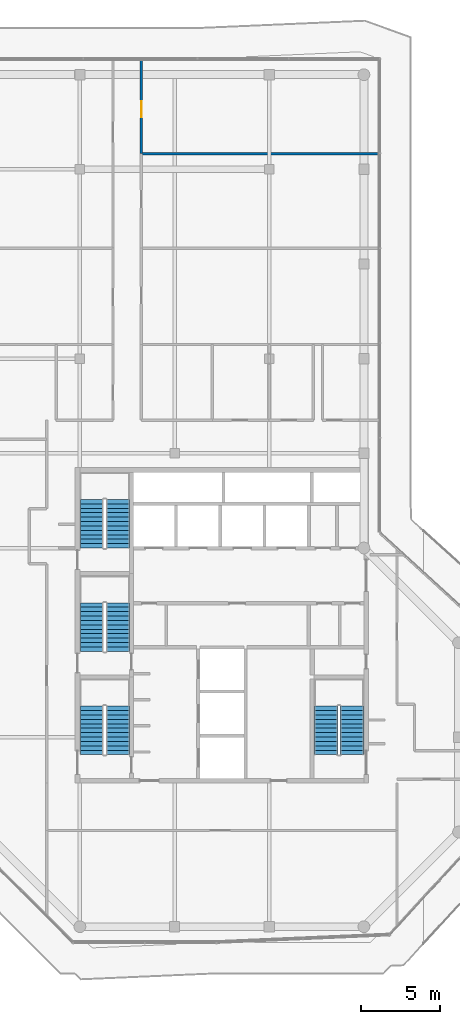
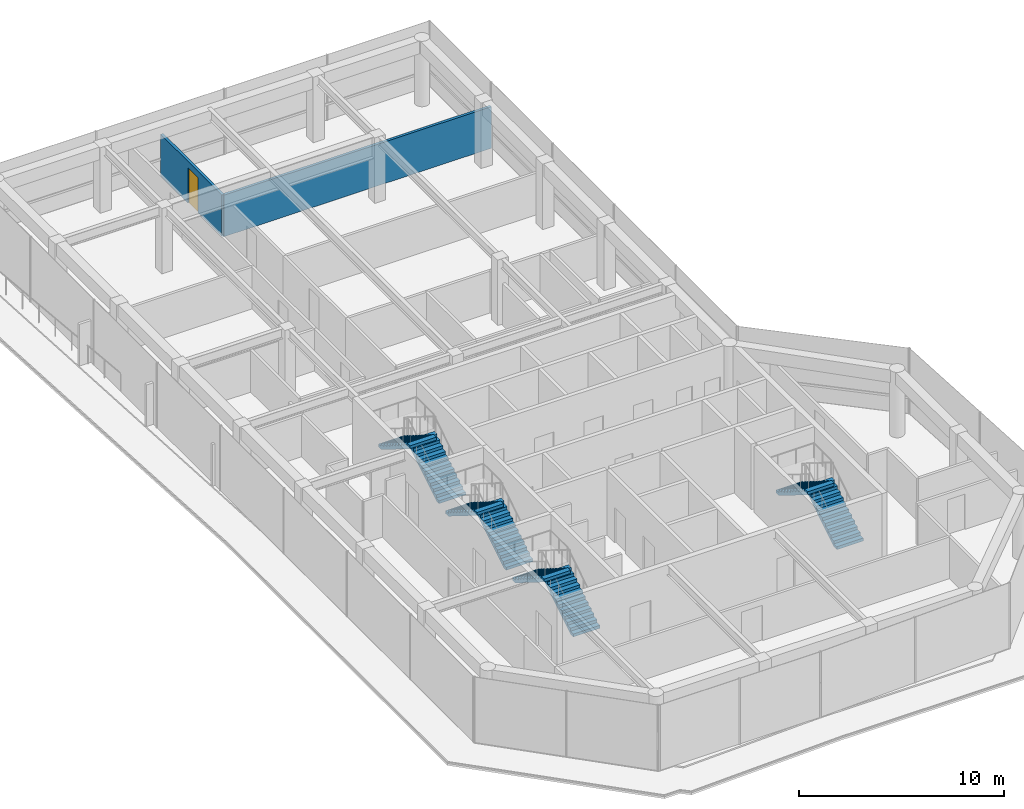
# One storey, part 17 of 19: 8 stair flights, 2 walls, 1 door, 1 opening, 4 elements without a shape of their own.
"""IFC4 building model written with IfcOpenShell, lengths in metres."""

from ifc_helpers import new_model, si_unit, direction, frame, frame_2d, origin, place, context, subcontext, project, spatial, polyline, rectangle, outline, extrude, material, layer, layer_set, type_object, element, fill, aggregate, save


model = new_model("IFC4")

# Units and contexts
model_context = context("Model", 3, precision=1e-05, world=origin(), true_north=direction((0.0, 1.0)))
body_context = subcontext(model_context, "Body", "Model", "MODEL_VIEW")
ifc_project = project(units=[si_unit("LENGTHUNIT", "METRE"), si_unit("AREAUNIT", "SQUARE_METRE"), si_unit("VOLUMEUNIT", "CUBIC_METRE"), si_unit("PLANEANGLEUNIT", "RADIAN"), si_unit("MASSUNIT", "GRAM", prefix="KILO")], contexts=[model_context])

# Site, building, storey
site_placement = place(None, origin())
site = spatial("IfcSite", under=ifc_project, at=site_placement, CompositionType="ELEMENT")
building_placement = place(site_placement, origin())
building = spatial("IfcBuilding", under=site, at=building_placement, Name="Welwitschia Terrace Campus", CompositionType="ELEMENT")
storey_placement = place(building_placement, frame((0.0, 0.0, 323.0)))
storey = spatial("IfcBuildingStorey", under=building, at=storey_placement, Name="L72", CompositionType="ELEMENT", Elevation=323.0)

# Wall
ifc_material_1 = material(Name="Gypsum board on steel studs", Category="steel")
ifc_layer = layer(ifc_material_1, 0.14990234375)
ifc_layer_set = layer_set([ifc_layer], Name="Gypsum board on steel studs")
wall_type = type_object("IfcWallType", Name="Corridor partition 150 EI 30", PredefinedType="PARTITIONING", material=ifc_layer_set)
wall_1_placement = place(storey_placement, frame((9.89990234375, 45.0, 0.0), z_axis=(0.0, 0.0, 1.0), x_axis=(1.0, 0.0, 0.0)))
element("IfcWall", 1, at=wall_1_placement, inside=storey, type_object=wall_type, Name="Partition", PredefinedType="PARTITIONING", context=body_context, shape_type="SweptSolid", body=[
    extrude(rectangle(XDim=15.0751953125, YDim=0.14990234375, at=frame_2d((7.53759765625, 0.0))), origin(), (0.0, 0.0, 1.0), 2.47998046875),
])

# Wall, opening, door
wall_2_placement = place(storey_placement, frame((9.89990234375, 50.969970703125, 0.0), z_axis=(0.0, 0.0, 1.0), x_axis=(0.0, -1.0, 0.0)))
wall_2 = element("IfcWall", 2, at=wall_2_placement, inside=storey, type_object=wall_type, Name="Partition", PredefinedType="PARTITIONING", context=body_context, shape_type="SweptSolid", body=[
    extrude(rectangle(XDim=5.969970703125, YDim=0.14990234375, at=frame_2d((2.98486328125, 0.0))), origin(), (0.0, 0.0, 1.0), 2.47998046875),
])
opening_placement = place(wall_2_placement, frame((2.669921875, 0.0, 0.0)))
opening = element("IfcOpeningElement", 3, at=opening_placement, cuts=wall_2, Name="Opening DI10", PredefinedType="OPENING", context=body_context, shape_type="SweptSolid", body=[
    extrude(rectangle(XDim=1.0, YDim=2.10009765625, at=frame_2d((0.5, 1.050048828125))), frame((0.0, 0.0849609375, 0.0), z_axis=(0.0, -1.0, 0.0), x_axis=(1.0, 0.0, 0.0)), (0.0, 0.0, 1.0), 0.169921875),
])
ifc_material_2 = material(Name="Timber veneered door", Category="wood")
door_type = type_object("IfcDoorType", Name="Interior door DI10", OperationType="NOTDEFINED", PredefinedType="DOOR", material=ifc_material_2)
door_placement = place(opening_placement, origin())
door = element("IfcDoor", 4, at=door_placement, inside=storey, type_object=door_type, Name="Door L72 1261", OperationType="SINGLE_SWING_RIGHT", OverallHeight=2.10009765625, OverallWidth=1.0, PredefinedType="DOOR", context=body_context, shape_type="SweptSolid", body=[
    extrude(rectangle(XDim=1.0, YDim=2.10009765625, at=frame_2d((0.5, 1.050048828125))), frame((0.0, 0.02490234375, 0.0), z_axis=(0.0, -1.0, 0.0), x_axis=(1.0, 0.0, 0.0)), (0.0, 0.0, 1.0), 0.050048828125),
])
fill(opening, door)

# Stair, stair flights
ifc_material_3 = material(Name="Concrete C40/50", Category="concrete")
stair_type = type_object("IfcStairType", Name="Stair 24R 175 W1500", PredefinedType="HALF_TURN_STAIR", material=ifc_material_3)
stair_1_placement = place(storey_placement, origin())
stair_1 = element("IfcStair", 5, at=stair_1_placement, inside=storey, type_object=stair_type, Name="L72 Exit stair S1", PredefinedType="HALF_TURN_STAIR")
ifc_material_4 = material(Name="Concrete C40/50", Category="concrete")
stair_flight_type = type_object("IfcStairFlightType", Name="Stair flight 24R 175 W1500", PredefinedType="STRAIGHT", material=ifc_material_4)
stair_flight_1_placement = place(storey_placement, frame((8.39990234375, 6.89990234375, 0.0), z_axis=(0.0, 0.0, 1.0), x_axis=(0.0, 1.0, 0.0)))
stair_flight_1 = element("IfcStairFlight", 6, at=stair_flight_1_placement, type_object=stair_flight_type, Name="S1 flight 1", NumberOfRisers=12, NumberOfTreads=11, PredefinedType="STRAIGHT", RiserHeight=0.175, TreadLength=0.28, context=body_context, shape_type="SweptSolid", body=[
    extrude(outline(polyline([(0.0, 0.0), (0.0, 0.175048828125), (0.280029296875, 0.175048828125), (0.280029296875, 0.35009765625), (0.56005859375, 0.35009765625), (0.56005859375, 0.52490234375), (0.840087890625, 0.52490234375), (0.840087890625, 0.699951171875), (1.1201171875, 0.699951171875), (1.1201171875, 0.875), (1.39990234375, 0.875), (1.39990234375, 1.050048828125), (1.679931640625, 1.050048828125), (1.679931640625, 1.22509765625), (1.9599609375, 1.22509765625), (1.9599609375, 1.39990234375), (2.239990234375, 1.39990234375), (2.239990234375, 1.574951171875), (2.52001953125, 1.574951171875), (2.52001953125, 1.75), (2.800048828125, 1.75), (2.800048828125, 1.925048828125), (3.080078125, 1.925048828125), (3.080078125, 2.10009765625), (3.080078125, 1.748291015625), (0.28271484375, 0.0), (0.0, 0.0)])), frame((0.0, 0.75, 0.0), z_axis=(0.0, -1.0, 0.0), x_axis=(1.0, 0.0, 0.0)), (0.0, 0.0, 1.0), 1.5),
])
stair_flight_2_placement = place(storey_placement, frame((6.75, 9.97998046875, 2.10009765625), z_axis=(0.0, 0.0, 1.0), x_axis=(0.0, -1.0, 0.0)))
stair_flight_2 = element("IfcStairFlight", 7, at=stair_flight_2_placement, type_object=stair_flight_type, Name="S1 flight 2", NumberOfRisers=12, NumberOfTreads=11, PredefinedType="STRAIGHT", RiserHeight=0.175, TreadLength=0.28, context=body_context, shape_type="SweptSolid", body=[
    extrude(outline(polyline([(0.0, 0.0), (0.0, 0.175048828125), (0.280029296875, 0.175048828125), (0.280029296875, 0.35009765625), (0.56005859375, 0.35009765625), (0.56005859375, 0.52490234375), (0.840087890625, 0.52490234375), (0.840087890625, 0.699951171875), (1.1201171875, 0.699951171875), (1.1201171875, 0.875), (1.39990234375, 0.875), (1.39990234375, 1.050048828125), (1.679931640625, 1.050048828125), (1.679931640625, 1.22509765625), (1.9599609375, 1.22509765625), (1.9599609375, 1.39990234375), (2.239990234375, 1.39990234375), (2.239990234375, 1.574951171875), (2.52001953125, 1.574951171875), (2.52001953125, 1.75), (2.800048828125, 1.75), (2.800048828125, 1.925048828125), (3.080078125, 1.925048828125), (3.080078125, 2.10009765625), (3.080078125, 1.748291015625), (0.28271484375, 0.0), (0.0, 0.0)])), frame((0.0, 0.75, 0.0), z_axis=(0.0, -1.0, 0.0), x_axis=(1.0, 0.0, 0.0)), (0.0, 0.0, 1.0), 1.5),
])
aggregate(stair_1, [stair_flight_1, stair_flight_2])

stair_2_placement = place(storey_placement, origin())
stair_2 = element("IfcStair", 8, at=stair_2_placement, inside=storey, type_object=stair_type, Name="L72 Exit stair S3", PredefinedType="HALF_TURN_STAIR")
stair_flight_3_placement = place(storey_placement, frame((8.39990234375, 13.449951171875, 0.0), z_axis=(0.0, 0.0, 1.0), x_axis=(0.0, 1.0, 0.0)))
stair_flight_3 = element("IfcStairFlight", 9, at=stair_flight_3_placement, type_object=stair_flight_type, Name="S3 flight 1", NumberOfRisers=12, NumberOfTreads=11, PredefinedType="STRAIGHT", RiserHeight=0.175, TreadLength=0.28, context=body_context, shape_type="SweptSolid", body=[
    extrude(outline(polyline([(0.0, 0.0), (0.0, 0.175048828125), (0.280029296875, 0.175048828125), (0.280029296875, 0.35009765625), (0.56005859375, 0.35009765625), (0.56005859375, 0.52490234375), (0.840087890625, 0.52490234375), (0.840087890625, 0.699951171875), (1.1201171875, 0.699951171875), (1.1201171875, 0.875), (1.39990234375, 0.875), (1.39990234375, 1.050048828125), (1.679931640625, 1.050048828125), (1.679931640625, 1.22509765625), (1.9599609375, 1.22509765625), (1.9599609375, 1.39990234375), (2.239990234375, 1.39990234375), (2.239990234375, 1.574951171875), (2.52001953125, 1.574951171875), (2.52001953125, 1.75), (2.800048828125, 1.75), (2.800048828125, 1.925048828125), (3.080078125, 1.925048828125), (3.080078125, 2.10009765625), (3.080078125, 1.748291015625), (0.28271484375, 0.0), (0.0, 0.0)])), frame((0.0, 0.75, 0.0), z_axis=(0.0, -1.0, 0.0), x_axis=(1.0, 0.0, 0.0)), (0.0, 0.0, 1.0), 1.5),
])
stair_flight_4_placement = place(storey_placement, frame((6.75, 16.530029296875, 2.10009765625), z_axis=(0.0, 0.0, 1.0), x_axis=(0.0, -1.0, 0.0)))
stair_flight_4 = element("IfcStairFlight", 10, at=stair_flight_4_placement, type_object=stair_flight_type, Name="S3 flight 2", NumberOfRisers=12, NumberOfTreads=11, PredefinedType="STRAIGHT", RiserHeight=0.175, TreadLength=0.28, context=body_context, shape_type="SweptSolid", body=[
    extrude(outline(polyline([(0.0, 0.0), (0.0, 0.175048828125), (0.280029296875, 0.175048828125), (0.280029296875, 0.35009765625), (0.56005859375, 0.35009765625), (0.56005859375, 0.52490234375), (0.840087890625, 0.52490234375), (0.840087890625, 0.699951171875), (1.1201171875, 0.699951171875), (1.1201171875, 0.875), (1.39990234375, 0.875), (1.39990234375, 1.050048828125), (1.679931640625, 1.050048828125), (1.679931640625, 1.22509765625), (1.9599609375, 1.22509765625), (1.9599609375, 1.39990234375), (2.239990234375, 1.39990234375), (2.239990234375, 1.574951171875), (2.52001953125, 1.574951171875), (2.52001953125, 1.75), (2.800048828125, 1.75), (2.800048828125, 1.925048828125), (3.080078125, 1.925048828125), (3.080078125, 2.10009765625), (3.080078125, 1.748291015625), (0.28271484375, 0.0), (0.0, 0.0)])), frame((0.0, 0.75, 0.0), z_axis=(0.0, -1.0, 0.0), x_axis=(1.0, 0.0, 0.0)), (0.0, 0.0, 1.0), 1.5),
])
aggregate(stair_2, [stair_flight_3, stair_flight_4])

stair_3_placement = place(storey_placement, origin())
stair_3 = element("IfcStair", 11, at=stair_3_placement, inside=storey, type_object=stair_type, Name="L72 Exit stair S4", PredefinedType="HALF_TURN_STAIR")
stair_flight_5_placement = place(storey_placement, frame((8.39990234375, 20.0, 0.0), z_axis=(0.0, 0.0, 1.0), x_axis=(0.0, 1.0, 0.0)))
stair_flight_5 = element("IfcStairFlight", 12, at=stair_flight_5_placement, type_object=stair_flight_type, Name="S4 flight 1", NumberOfRisers=12, NumberOfTreads=11, PredefinedType="STRAIGHT", RiserHeight=0.175, TreadLength=0.28, context=body_context, shape_type="SweptSolid", body=[
    extrude(outline(polyline([(0.0, 0.0), (0.0, 0.175048828125), (0.280029296875, 0.175048828125), (0.280029296875, 0.35009765625), (0.56005859375, 0.35009765625), (0.56005859375, 0.52490234375), (0.840087890625, 0.52490234375), (0.840087890625, 0.699951171875), (1.1201171875, 0.699951171875), (1.1201171875, 0.875), (1.39990234375, 0.875), (1.39990234375, 1.050048828125), (1.679931640625, 1.050048828125), (1.679931640625, 1.22509765625), (1.9599609375, 1.22509765625), (1.9599609375, 1.39990234375), (2.239990234375, 1.39990234375), (2.239990234375, 1.574951171875), (2.52001953125, 1.574951171875), (2.52001953125, 1.75), (2.800048828125, 1.75), (2.800048828125, 1.925048828125), (3.080078125, 1.925048828125), (3.080078125, 2.10009765625), (3.080078125, 1.748291015625), (0.28271484375, 0.0), (0.0, 0.0)])), frame((0.0, 0.75, 0.0), z_axis=(0.0, -1.0, 0.0), x_axis=(1.0, 0.0, 0.0)), (0.0, 0.0, 1.0), 1.5),
])
stair_flight_6_placement = place(storey_placement, frame((6.75, 23.080078125, 2.10009765625), z_axis=(0.0, 0.0, 1.0), x_axis=(0.0, -1.0, 0.0)))
stair_flight_6 = element("IfcStairFlight", 13, at=stair_flight_6_placement, type_object=stair_flight_type, Name="S4 flight 2", NumberOfRisers=12, NumberOfTreads=11, PredefinedType="STRAIGHT", RiserHeight=0.175, TreadLength=0.28, context=body_context, shape_type="SweptSolid", body=[
    extrude(outline(polyline([(0.0, 0.0), (0.0, 0.175048828125), (0.280029296875, 0.175048828125), (0.280029296875, 0.35009765625), (0.56005859375, 0.35009765625), (0.56005859375, 0.52490234375), (0.840087890625, 0.52490234375), (0.840087890625, 0.699951171875), (1.1201171875, 0.699951171875), (1.1201171875, 0.875), (1.39990234375, 0.875), (1.39990234375, 1.050048828125), (1.679931640625, 1.050048828125), (1.679931640625, 1.22509765625), (1.9599609375, 1.22509765625), (1.9599609375, 1.39990234375), (2.239990234375, 1.39990234375), (2.239990234375, 1.574951171875), (2.52001953125, 1.574951171875), (2.52001953125, 1.75), (2.800048828125, 1.75), (2.800048828125, 1.925048828125), (3.080078125, 1.925048828125), (3.080078125, 2.10009765625), (3.080078125, 1.748291015625), (0.28271484375, 0.0), (0.0, 0.0)])), frame((0.0, 0.75, 0.0), z_axis=(0.0, -1.0, 0.0), x_axis=(1.0, 0.0, 0.0)), (0.0, 0.0, 1.0), 1.5),
])
aggregate(stair_3, [stair_flight_5, stair_flight_6])

stair_4_placement = place(storey_placement, origin())
stair_4 = element("IfcStair", 14, at=stair_4_placement, inside=storey, type_object=stair_type, Name="L72 Exit stair S2", PredefinedType="HALF_TURN_STAIR")
stair_flight_7_placement = place(storey_placement, frame((23.25, 6.89990234375, 0.0), z_axis=(0.0, 0.0, 1.0), x_axis=(0.0, 1.0, 0.0)))
stair_flight_7 = element("IfcStairFlight", 15, at=stair_flight_7_placement, type_object=stair_flight_type, Name="S2 flight 1", NumberOfRisers=12, NumberOfTreads=11, PredefinedType="STRAIGHT", RiserHeight=0.175, TreadLength=0.28, context=body_context, shape_type="SweptSolid", body=[
    extrude(outline(polyline([(0.0, 0.0), (0.0, 0.175048828125), (0.280029296875, 0.175048828125), (0.280029296875, 0.35009765625), (0.56005859375, 0.35009765625), (0.56005859375, 0.52490234375), (0.840087890625, 0.52490234375), (0.840087890625, 0.699951171875), (1.1201171875, 0.699951171875), (1.1201171875, 0.875), (1.39990234375, 0.875), (1.39990234375, 1.050048828125), (1.679931640625, 1.050048828125), (1.679931640625, 1.22509765625), (1.9599609375, 1.22509765625), (1.9599609375, 1.39990234375), (2.239990234375, 1.39990234375), (2.239990234375, 1.574951171875), (2.52001953125, 1.574951171875), (2.52001953125, 1.75), (2.800048828125, 1.75), (2.800048828125, 1.925048828125), (3.080078125, 1.925048828125), (3.080078125, 2.10009765625), (3.080078125, 1.748291015625), (0.28271484375, 0.0), (0.0, 0.0)])), frame((0.0, 0.75, 0.0), z_axis=(0.0, -1.0, 0.0), x_axis=(1.0, 0.0, 0.0)), (0.0, 0.0, 1.0), 1.5),
])
stair_flight_8_placement = place(storey_placement, frame((21.60009765625, 9.97998046875, 2.10009765625), z_axis=(0.0, 0.0, 1.0), x_axis=(0.0, -1.0, 0.0)))
stair_flight_8 = element("IfcStairFlight", 16, at=stair_flight_8_placement, type_object=stair_flight_type, Name="S2 flight 2", NumberOfRisers=12, NumberOfTreads=11, PredefinedType="STRAIGHT", RiserHeight=0.175, TreadLength=0.28, context=body_context, shape_type="SweptSolid", body=[
    extrude(outline(polyline([(0.0, 0.0), (0.0, 0.175048828125), (0.280029296875, 0.175048828125), (0.280029296875, 0.35009765625), (0.56005859375, 0.35009765625), (0.56005859375, 0.52490234375), (0.840087890625, 0.52490234375), (0.840087890625, 0.699951171875), (1.1201171875, 0.699951171875), (1.1201171875, 0.875), (1.39990234375, 0.875), (1.39990234375, 1.050048828125), (1.679931640625, 1.050048828125), (1.679931640625, 1.22509765625), (1.9599609375, 1.22509765625), (1.9599609375, 1.39990234375), (2.239990234375, 1.39990234375), (2.239990234375, 1.574951171875), (2.52001953125, 1.574951171875), (2.52001953125, 1.75), (2.800048828125, 1.75), (2.800048828125, 1.925048828125), (3.080078125, 1.925048828125), (3.080078125, 2.10009765625), (3.080078125, 1.748291015625), (0.28271484375, 0.0), (0.0, 0.0)])), frame((0.0, 0.75, 0.0), z_axis=(0.0, -1.0, 0.0), x_axis=(1.0, 0.0, 0.0)), (0.0, 0.0, 1.0), 1.5),
])
aggregate(stair_4, [stair_flight_7, stair_flight_8])

save(model, "model.ifc")
